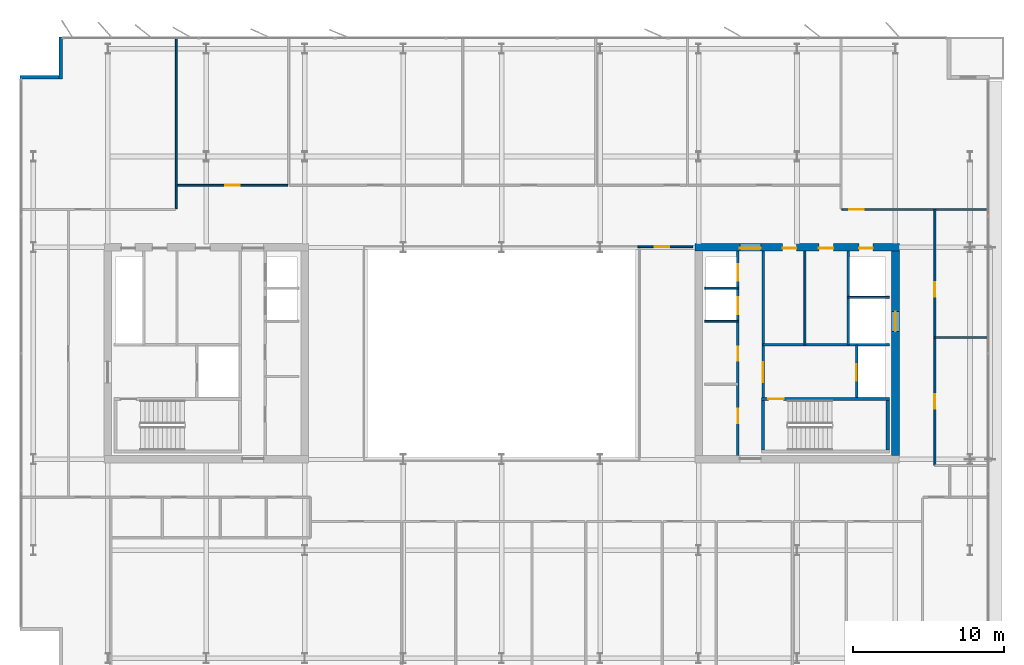
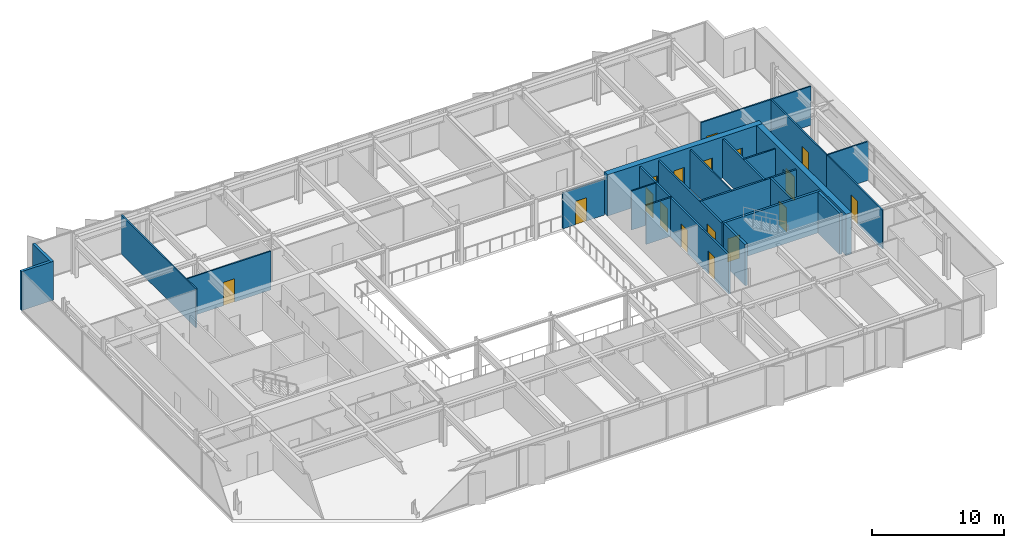
# One storey, part 14 of 19: 23 walls, 17 doors, 17 openings.
"""IFC4 building model written with IfcOpenShell, lengths in metres."""

from ifc_helpers import new_model, si_unit, direction, frame, frame_2d, origin, place, context, subcontext, project, spatial, rectangle, extrude, material, layer, layer_set, type_object, element, fill, save


model = new_model("IFC4")

# Units and contexts
model_context = context("Model", 3, precision=1e-05, world=origin(), true_north=direction((0.0, 1.0)))
body_context = subcontext(model_context, "Body", "Model", "MODEL_VIEW")
ifc_project = project(units=[si_unit("LENGTHUNIT", "METRE"), si_unit("AREAUNIT", "SQUARE_METRE"), si_unit("VOLUMEUNIT", "CUBIC_METRE"), si_unit("PLANEANGLEUNIT", "RADIAN"), si_unit("MASSUNIT", "GRAM", prefix="KILO")], contexts=[model_context])

# Site, building, storey
site_placement = place(None, origin())
site = spatial("IfcSite", under=ifc_project, at=site_placement, CompositionType="ELEMENT")
building_placement = place(site_placement, origin())
building = spatial("IfcBuilding", under=site, at=building_placement, Name="Putna Gate Headquarters", CompositionType="ELEMENT")
storey_placement = place(building_placement, frame((0.0, 0.0, 267.0)))
storey = spatial("IfcBuildingStorey", under=building, at=storey_placement, Name="L67", CompositionType="ELEMENT", Elevation=267.0)

# Wall, openings, doors
ifc_material_1 = material(Name="Concrete C50/60", Category="concrete")
ifc_layer_1 = layer(ifc_material_1, 0.5)
ifc_layer_set_1 = layer_set([ifc_layer_1], Name="Concrete C50/60")
wall_type_1 = type_object("IfcWallType", Name="WALL-CORE-500", PredefinedType="SHEAR", material=ifc_layer_set_1)
wall_1_placement = place(storey_placement, frame((51.75, 33.0, 0.0), z_axis=(0.0, 0.0, 1.0), x_axis=(1.0, 0.0, 0.0)))
wall_1 = element("IfcWall", 1, at=wall_1_placement, inside=storey, type_object=wall_type_1, Name="L67 EC Split Core Shear Wall N", PredefinedType="SHEAR", context=body_context, shape_type="SweptSolid", body=[
    extrude(rectangle(XDim=13.5, YDim=0.5, at=frame_2d((6.75, 0.0))), origin(), (0.0, 0.0, 1.0), 3.800048828125),
])
opening_1_placement = place(wall_1_placement, frame((2.969970703125, 0.0, 0.0)))
opening_1 = element("IfcOpeningElement", 2, at=opening_1_placement, cuts=wall_1, Name="Opening FDD-140", PredefinedType="OPENING", context=body_context, shape_type="SweptSolid", body=[
    extrude(rectangle(XDim=1.39990234375, YDim=2.199951171875, at=frame_2d((0.699951171875, 1.10009765625))), frame((0.0, 0.260009765625, 0.0), z_axis=(0.0, -1.0, 0.0), x_axis=(1.0, 0.0, 0.0)), (0.0, 0.0, 1.0), 0.52001953125),
])
opening_2_placement = place(wall_1_placement, frame((10.85009765625, 0.0, 0.0)))
opening_2 = element("IfcOpeningElement", 3, at=opening_2_placement, cuts=wall_1, Name="Opening RD-90", PredefinedType="OPENING", context=body_context, shape_type="SweptSolid", body=[
    extrude(rectangle(XDim=0.89990234375, YDim=2.14990234375, at=frame_2d((0.449951171875, 1.074951171875))), frame((0.0, 0.260009765625, 0.0), z_axis=(0.0, -1.0, 0.0), x_axis=(1.0, 0.0, 0.0)), (0.0, 0.0, 1.0), 0.52001953125),
])
opening_3_placement = place(wall_1_placement, frame((5.800048828125, 0.0, 0.0)))
opening_3 = element("IfcOpeningElement", 4, at=opening_3_placement, cuts=wall_1, Name="Opening IDS-90", PredefinedType="OPENING", context=body_context, shape_type="SweptSolid", body=[
    extrude(rectangle(XDim=0.89990234375, YDim=2.14990234375, at=frame_2d((0.449951171875, 1.074951171875))), frame((0.0, 0.260009765625, 0.0), z_axis=(0.0, -1.0, 0.0), x_axis=(1.0, 0.0, 0.0)), (0.0, 0.0, 1.0), 0.52001953125),
])
opening_4_placement = place(wall_1_placement, frame((8.199951171875, 0.0, 0.0)))
opening_4 = element("IfcOpeningElement", 5, at=opening_4_placement, cuts=wall_1, Name="Opening IDS-95", PredefinedType="OPENING", context=body_context, shape_type="SweptSolid", body=[
    extrude(rectangle(XDim=0.949951171875, YDim=2.14990234375, at=frame_2d((0.47509765625, 1.074951171875))), frame((0.0, 0.260009765625, 0.0), z_axis=(0.0, -1.0, 0.0), x_axis=(1.0, 0.0, 0.0)), (0.0, 0.0, 1.0), 0.52001953125),
])
ifc_material_2 = material(Name="Double steel fire door", Category="steel")
door_type_1 = type_object("IfcDoorType", Name="DOOR-FIRE-DBL-1400", OperationType="DOUBLE_DOOR_SINGLE_SWING", PredefinedType="DOOR", material=ifc_material_2)
door_1_placement = place(opening_1_placement, origin())
door_1 = element("IfcDoor", 6, at=door_1_placement, inside=storey, type_object=door_type_1, Name="L67 East Lift Lobby North Door", OperationType="DOUBLE_DOOR_SINGLE_SWING", OverallHeight=2.199951171875, OverallWidth=1.39990234375, PredefinedType="DOOR", context=body_context, shape_type="SweptSolid", body=[
    extrude(rectangle(XDim=1.39990234375, YDim=2.199951171875, at=frame_2d((0.699951171875, 1.10009765625))), frame((0.0, -0.02490234375, 0.0), z_axis=(0.0, -1.0, 0.0), x_axis=(1.0, 0.0, 0.0)), (0.0, 0.0, 1.0), 0.050048828125),
])
fill(opening_1, door_1)
ifc_material_3 = material(Name="Fire-rated utility door")
door_type_2 = type_object("IfcDoorType", Name="DOOR-INT-900", OperationType="NOTDEFINED", PredefinedType="DOOR", material=ifc_material_3)
door_2_placement = place(opening_3_placement, origin())
door_2 = element("IfcDoor", 7, at=door_2_placement, inside=storey, type_object=door_type_2, Name="L67 Telecoms Plant Door", OperationType="SINGLE_SWING_LEFT", OverallHeight=2.14990234375, OverallWidth=0.89990234375, PredefinedType="DOOR", context=body_context, shape_type="SweptSolid", body=[
    extrude(rectangle(XDim=0.89990234375, YDim=2.14990234375, at=frame_2d((0.449951171875, 1.074951171875))), frame((0.0, -0.02490234375, 0.0), z_axis=(0.0, -1.0, 0.0), x_axis=(1.0, 0.0, 0.0)), (0.0, 0.0, 1.0), 0.050048828125),
])
fill(opening_3, door_2)
ifc_material_4 = material(Name="Fire-rated service timber door", Category="wood")
door_type_3 = type_object("IfcDoorType", Name="DOOR-INT-950", OperationType="NOTDEFINED", PredefinedType="DOOR", material=ifc_material_4)
door_3_placement = place(opening_4_placement, origin())
door_3 = element("IfcDoor", 8, at=door_3_placement, inside=storey, type_object=door_type_3, Name="L67 Supplies Store Door", OperationType="SINGLE_SWING_RIGHT", OverallHeight=2.14990234375, OverallWidth=0.949951171875, PredefinedType="DOOR", context=body_context, shape_type="SweptSolid", body=[
    extrude(rectangle(XDim=0.949951171875, YDim=2.14990234375, at=frame_2d((0.47509765625, 1.074951171875))), frame((0.0, -0.02490234375, 0.0), z_axis=(0.0, -1.0, 0.0), x_axis=(1.0, 0.0, 0.0)), (0.0, 0.0, 1.0), 0.050048828125),
])
fill(opening_4, door_3)
ifc_material_5 = material(Name="Steel riser access fire door", Category="steel")
door_type_4 = type_object("IfcDoorType", Name="DOOR-RISER-900", OperationType="NOTDEFINED", PredefinedType="DOOR", material=ifc_material_5)
door_4_placement = place(opening_2_placement, origin())
door_4 = element("IfcDoor", 9, at=door_4_placement, inside=storey, type_object=door_type_4, Name="L67 East Riser Access Door", OperationType="SINGLE_SWING_LEFT", OverallHeight=2.14990234375, OverallWidth=0.89990234375, PredefinedType="DOOR", context=body_context, shape_type="SweptSolid", body=[
    extrude(rectangle(XDim=0.89990234375, YDim=2.14990234375, at=frame_2d((0.449951171875, 1.074951171875))), frame((0.0, -0.02490234375, 0.0), z_axis=(0.0, -1.0, 0.0), x_axis=(1.0, 0.0, 0.0)), (0.0, 0.0, 1.0), 0.050048828125),
])
fill(opening_2, door_4)

# Wall, opening, door
wall_2_placement = place(storey_placement, frame((65.0, 19.25, 0.0), z_axis=(0.0, 0.0, 1.0), x_axis=(0.0, 1.0, 0.0)))
wall_2 = element("IfcWall", 10, at=wall_2_placement, inside=storey, type_object=wall_type_1, Name="L67 EC Split Core Shear Wall E", PredefinedType="SHEAR", context=body_context, shape_type="SweptSolid", body=[
    extrude(rectangle(XDim=13.5, YDim=0.5, at=frame_2d((6.75, 0.0))), origin(), (0.0, 0.0, 1.0), 3.800048828125),
])
opening_5_placement = place(wall_2_placement, frame((8.199951171875, 0.0, 0.0)))
opening_5 = element("IfcOpeningElement", 11, at=opening_5_placement, cuts=wall_2, Name="Opening LD-2", PredefinedType="OPENING", context=body_context, shape_type="SweptSolid", body=[
    extrude(rectangle(XDim=1.300048828125, YDim=2.199951171875, at=frame_2d((0.64990234375, 1.10009765625))), frame((0.0, 0.260009765625, 0.0), z_axis=(0.0, -1.0, 0.0), x_axis=(1.0, 0.0, 0.0)), (0.0, 0.0, 1.0), 0.52001953125),
])
ifc_material_6 = material(Name="Heavy-duty goods lift sliding landing door")
door_type_5 = type_object("IfcDoorType", Name="DOOR-LIFT-1300", OperationType="DOUBLE_DOOR_SLIDING", PredefinedType="DOOR", material=ifc_material_6)
door_5_placement = place(opening_5_placement, origin())
door_5 = element("IfcDoor", 12, at=door_5_placement, inside=storey, type_object=door_type_5, Name="L67 Goods Lift Landing Door LD-15", OperationType="DOUBLE_DOOR_SLIDING", OverallHeight=2.199951171875, OverallWidth=1.300048828125, PredefinedType="DOOR", context=body_context, shape_type="SweptSolid", body=[
    extrude(rectangle(XDim=1.300048828125, YDim=2.199951171875, at=frame_2d((0.64990234375, 1.10009765625))), frame((0.0, 0.02490234375, 0.0), z_axis=(0.0, -1.0, 0.0), x_axis=(1.0, 0.0, 0.0)), (0.0, 0.0, 1.0), 0.050048828125),
])
fill(opening_5, door_5)

# Walls
ifc_material_7 = material(Name="Precast concrete C40/50", Category="concrete")
ifc_layer_2 = layer(ifc_material_7, 0.239990234375)
ifc_layer_set_2 = layer_set([ifc_layer_2], Name="Precast concrete C40/50")
wall_type_2 = type_object("IfcWallType", Name="WALL-EXT-TERR-240", PredefinedType="STANDARD", material=ifc_layer_set_2)
wall_3_placement = place(storey_placement, frame((9.8798828125, 44.10009765625, 0.0), z_axis=(0.0, 0.0, 1.0), x_axis=(0.0, 1.0, 0.0)))
element("IfcWall", 13, at=wall_3_placement, inside=storey, type_object=wall_type_2, Name="L67 Corner Notch Return Wall NW-V", PredefinedType="STANDARD", context=body_context, shape_type="SweptSolid", body=[
    extrude(rectangle(XDim=2.7998046875, YDim=0.239990234375, at=frame_2d((1.39990234375, 0.0))), origin(), (0.0, 0.0, 1.0), 3.587890625),
])
wall_4_placement = place(storey_placement, frame((7.199951171875, 44.219970703125, 0.0), z_axis=(0.0, 0.0, 1.0), x_axis=(1.0, 0.0, 0.0)))
element("IfcWall", 14, at=wall_4_placement, inside=storey, type_object=wall_type_2, Name="L67 Corner Notch Return Wall NW-H", PredefinedType="STANDARD", context=body_context, shape_type="SweptSolid", body=[
    extrude(rectangle(XDim=2.800048828125, YDim=0.239990234375, at=frame_2d((1.39990234375, 0.0))), origin(), (0.0, 0.0, 1.0), 3.587890625),
])

# Wall, opening, door
ifc_material_8 = material(Name="Acoustic gypsum board on metal stud")
ifc_layer_3 = layer(ifc_material_8, 0.1201171875)
ifc_layer_set_3 = layer_set([ifc_layer_3], Name="Acoustic gypsum board on metal stud")
wall_type_3 = type_object("IfcWallType", Name="WALL-PART-120", PredefinedType="PARTITIONING", material=ifc_layer_set_3)
wall_5_placement = place(storey_placement, frame((48.0, 33.0400390625, 0.0), z_axis=(0.0, 0.0, 1.0), x_axis=(1.0, 0.0, 0.0)))
wall_5 = element("IfcWall", 15, at=wall_5_placement, inside=storey, type_object=wall_type_3, Name="L67 Interior Wall PART-L67-ATR-E-N", PredefinedType="PARTITIONING", context=body_context, shape_type="SweptSolid", body=[
    extrude(rectangle(XDim=3.60009765625, YDim=0.1201171875, at=frame_2d((1.800048828125, 0.0))), origin(), (0.0, 0.0, 1.0), 3.327880859375),
])
opening_6_placement = place(wall_5_placement, frame((1.10009765625, 0.0, 0.0)))
opening_6 = element("IfcOpeningElement", 16, at=opening_6_placement, cuts=wall_5, Name="Opening ID-95", PredefinedType="OPENING", context=body_context, shape_type="SweptSolid", body=[
    extrude(rectangle(XDim=0.949951171875, YDim=2.14990234375, at=frame_2d((0.47509765625, 1.074951171875))), frame((0.0, 0.070068359375, 0.0), z_axis=(0.0, -1.0, 0.0), x_axis=(1.0, 0.0, 0.0)), (0.0, 0.0, 1.0), 0.14013671875),
])
ifc_material_9 = material(Name="Veneered acoustic timber door", Category="wood")
door_type_6 = type_object("IfcDoorType", Name="DOOR-OFF-950", OperationType="NOTDEFINED", PredefinedType="DOOR", material=ifc_material_9)
door_6_placement = place(opening_6_placement, origin())
door_6 = element("IfcDoor", 17, at=door_6_placement, inside=storey, type_object=door_type_6, Name="L67 East Sky Atrium Lounge Door", OperationType="SINGLE_SWING_LEFT", OverallHeight=2.14990234375, OverallWidth=0.949951171875, PredefinedType="DOOR", context=body_context, shape_type="SweptSolid", body=[
    extrude(rectangle(XDim=0.949951171875, YDim=2.14990234375, at=frame_2d((0.47509765625, 1.074951171875))), frame((0.0, 0.02490234375, 0.0), z_axis=(0.0, -1.0, 0.0), x_axis=(1.0, 0.0, 0.0)), (0.0, 0.0, 1.0), 0.050048828125),
])
fill(opening_6, door_6)

# Walls
wall_6_placement = place(storey_placement, frame((17.513916015625, 35.56005859375, 0.0), z_axis=(0.0, 0.0, 1.0), x_axis=(0.0, 1.0, 0.0)))
element("IfcWall", 18, at=wall_6_placement, inside=storey, type_object=wall_type_3, Name="L67 Interior Wall PART-L67-NB-DIV-01", PredefinedType="PARTITIONING", context=body_context, shape_type="SweptSolid", body=[
    extrude(rectangle(XDim=11.31982421875, YDim=0.1201171875, at=frame_2d((5.659912109375, 0.0))), origin(), (0.0, 0.0, 1.0), 3.587890625),
])
wall_7_placement = place(storey_placement, frame((67.60009765625, 27.050048828125, 0.0), z_axis=(0.0, 0.0, 1.0), x_axis=(1.0, 0.0, 0.0)))
element("IfcWall", 19, at=wall_7_placement, inside=storey, type_object=wall_type_3, Name="L67 Interior Wall PART-L67-EW-DIV-1", PredefinedType="PARTITIONING", context=body_context, shape_type="SweptSolid", body=[
    extrude(rectangle(XDim=3.594970703125, YDim=0.1201171875, at=frame_2d((1.79736328125, 0.0))), origin(), (0.0, 0.0, 1.0), 3.587890625),
])
ifc_material_10 = material(Name="Fire-rated shaftwall gypsum board on metal stud")
ifc_layer_4 = layer(ifc_material_10, 0.1201171875)
ifc_layer_set_4 = layer_set([ifc_layer_4], Name="Fire-rated shaftwall gypsum board on metal stud")
wall_type_4 = type_object("IfcWallType", Name="WALL-PART-120-EI120", PredefinedType="PARTITIONING", material=ifc_layer_set_4)
wall_8_placement = place(storey_placement, frame((52.39990234375, 30.31005859375, 0.0), z_axis=(0.0, 0.0, 1.0), x_axis=(1.0, 0.0, 0.0)))
element("IfcWall", 20, at=wall_8_placement, inside=storey, type_object=wall_type_4, Name="L67 Interior Wall CWINT-L67-EC-LF11-DIV", PredefinedType="PARTITIONING", context=body_context, shape_type="SweptSolid", body=[
    extrude(rectangle(XDim=2.2001953125, YDim=0.1201171875, at=frame_2d((1.10009765625, 0.0))), origin(), (0.0, 0.0, 1.0), 3.587890625),
])
wall_9_placement = place(storey_placement, frame((61.8701171875, 29.699951171875, 0.0), z_axis=(0.0, 0.0, 1.0), x_axis=(1.0, 0.0, 0.0)))
element("IfcWall", 21, at=wall_9_placement, inside=storey, type_object=wall_type_4, Name="L67 Interior Wall CWINT-L67-EC-LF15-N", PredefinedType="PARTITIONING", context=body_context, shape_type="SweptSolid", body=[
    extrude(rectangle(XDim=2.72998046875, YDim=0.1201171875, at=frame_2d((1.364990234375, 0.0))), origin(), (0.0, 0.0, 1.0), 3.587890625),
])
ifc_material_11 = material(Name="Fire-rated gypsum board on metal stud")
ifc_layer_5 = layer(ifc_material_11, 0.1201171875)
ifc_layer_set_5 = layer_set([ifc_layer_5], Name="Fire-rated gypsum board on metal stud")
wall_type_5 = type_object("IfcWallType", Name="WALL-PART-120-RATED", PredefinedType="PARTITIONING", material=ifc_layer_set_5)
wall_10_placement = place(storey_placement, frame((52.39990234375, 28.1201171875, 0.0), z_axis=(0.0, 0.0, 1.0), x_axis=(1.0, 0.0, 0.0)))
element("IfcWall", 22, at=wall_10_placement, inside=storey, type_object=wall_type_5, Name="L67 Interior Wall CWINT-L67-EC-LF08-DIV", PredefinedType="PARTITIONING", context=body_context, shape_type="SweptSolid", body=[
    extrude(rectangle(XDim=2.2001953125, YDim=0.1201171875, at=frame_2d((1.10009765625, 0.0))), origin(), (0.0, 0.0, 1.0), 3.587890625),
])
wall_11_placement = place(storey_placement, frame((59.02001953125, 26.56005859375, 0.0), z_axis=(0.0, 0.0, 1.0), x_axis=(0.0, 1.0, 0.0)))
element("IfcWall", 23, at=wall_11_placement, inside=storey, type_object=wall_type_5, Name="L67 Interior Wall CWINT-L67-EC-K1-DIV", PredefinedType="PARTITIONING", context=body_context, shape_type="SweptSolid", body=[
    extrude(rectangle(XDim=6.18994140625, YDim=0.1201171875, at=frame_2d((3.094970703125, 0.0))), origin(), (0.0, 0.0, 1.0), 3.587890625),
])

# Wall, opening, door
wall_12_placement = place(storey_placement, frame((17.573974609375, 37.10009765625, 0.0), z_axis=(0.0, 0.0, 1.0), x_axis=(1.0, 0.0, 0.0)))
wall_12 = element("IfcWall", 24, at=wall_12_placement, inside=storey, type_object=wall_type_5, Name="L67 Interior Wall PART-L67-NB-CW-02", PredefinedType="PARTITIONING", context=body_context, shape_type="SweptSolid", body=[
    extrude(rectangle(XDim=7.302001953125, YDim=0.1201171875, at=frame_2d((3.65087890625, 0.0))), origin(), (0.0, 0.0, 1.0), 3.587890625),
])
opening_7_placement = place(wall_12_placement, frame((3.176025390625, 0.0, 0.0)))
opening_7 = element("IfcOpeningElement", 25, at=opening_7_placement, cuts=wall_12, Name="Opening FD-95", PredefinedType="OPENING", context=body_context, shape_type="SweptSolid", body=[
    extrude(rectangle(XDim=0.949951171875, YDim=2.14990234375, at=frame_2d((0.47509765625, 1.074951171875))), frame((0.0, 0.070068359375, 0.0), z_axis=(0.0, -1.0, 0.0), x_axis=(1.0, 0.0, 0.0)), (0.0, 0.0, 1.0), 0.14013671875),
])
ifc_material_12 = material(Name="Acoustic timber fire door", Category="wood")
door_type_7 = type_object("IfcDoorType", Name="DOOR-FIRE-950", OperationType="NOTDEFINED", PredefinedType="DOOR", material=ifc_material_12)
door_7_placement = place(opening_7_placement, origin())
door_7 = element("IfcDoor", 26, at=door_7_placement, inside=storey, type_object=door_type_7, Name="L67 Quiet Wellness Focus Studio 3 Door", OperationType="SINGLE_SWING_LEFT", OverallHeight=2.14990234375, OverallWidth=0.949951171875, PredefinedType="DOOR", context=body_context, shape_type="SweptSolid", body=[
    extrude(rectangle(XDim=0.949951171875, YDim=2.14990234375, at=frame_2d((0.47509765625, 1.074951171875))), frame((0.0, 0.02490234375, 0.0), z_axis=(0.0, -1.0, 0.0), x_axis=(1.0, 0.0, 0.0)), (0.0, 0.0, 1.0), 0.050048828125),
])
fill(opening_7, door_7)

wall_13_placement = place(storey_placement, frame((61.464111328125, 35.5, 0.0), z_axis=(0.0, 0.0, 1.0), x_axis=(1.0, 0.0, 0.0)))
wall_13 = element("IfcWall", 27, at=wall_13_placement, inside=storey, type_object=wall_type_5, Name="L67 Interior Wall PART-L67-NB-CW-07", PredefinedType="PARTITIONING", context=body_context, shape_type="SweptSolid", body=[
    extrude(rectangle(XDim=9.57080078125, YDim=0.1201171875, at=frame_2d((4.785400390625, 0.0))), origin(), (0.0, 0.0, 1.0), 3.587890625),
])
opening_8_placement = place(wall_13_placement, frame((0.47998046875, 0.0, 0.0)))
opening_8 = element("IfcOpeningElement", 28, at=opening_8_placement, cuts=wall_13, Name="Opening FD-95", PredefinedType="OPENING", context=body_context, shape_type="SweptSolid", body=[
    extrude(rectangle(XDim=0.949951171875, YDim=2.14990234375, at=frame_2d((0.47509765625, 1.074951171875))), frame((0.0, 0.070068359375, 0.0), z_axis=(0.0, -1.0, 0.0), x_axis=(1.0, 0.0, 0.0)), (0.0, 0.0, 1.0), 0.14013671875),
])
door_8_placement = place(opening_8_placement, origin())
door_8 = element("IfcDoor", 29, at=door_8_placement, inside=storey, type_object=door_type_7, Name="L67 Collaborative Breakout Lounge 3 Door", OperationType="SINGLE_SWING_RIGHT", OverallHeight=2.14990234375, OverallWidth=0.949951171875, PredefinedType="DOOR", context=body_context, shape_type="SweptSolid", body=[
    extrude(rectangle(XDim=0.949951171875, YDim=2.14990234375, at=frame_2d((0.47509765625, 1.074951171875))), frame((0.0, 0.02490234375, 0.0), z_axis=(0.0, -1.0, 0.0), x_axis=(1.0, 0.0, 0.0)), (0.0, 0.0, 1.0), 0.050048828125),
])
fill(opening_8, door_8)

wall_14_placement = place(storey_placement, frame((67.60009765625, 18.60009765625, 0.0), z_axis=(0.0, 0.0, 1.0), x_axis=(0.0, 1.0, 0.0)))
wall_14 = element("IfcWall", 30, at=wall_14_placement, inside=storey, type_object=wall_type_5, Name="L67 Interior Wall PART-L67-EW-CW-1", PredefinedType="PARTITIONING", context=body_context, shape_type="SweptSolid", body=[
    extrude(rectangle(XDim=8.449951171875, YDim=0.1201171875, at=frame_2d((4.22509765625, 0.0))), origin(), (0.0, 0.0, 1.0), 3.587890625),
])
opening_9_placement = place(wall_14_placement, frame((3.75, 0.0, 0.0)))
opening_9 = element("IfcOpeningElement", 31, at=opening_9_placement, cuts=wall_14, Name="Opening FD-95", PredefinedType="OPENING", context=body_context, shape_type="SweptSolid", body=[
    extrude(rectangle(XDim=0.949951171875, YDim=2.14990234375, at=frame_2d((0.47509765625, 1.074951171875))), frame((0.0, 0.070068359375, 0.0), z_axis=(0.0, -1.0, 0.0), x_axis=(1.0, 0.0, 0.0)), (0.0, 0.0, 1.0), 0.14013671875),
])
door_9_placement = place(opening_9_placement, origin())
door_9 = element("IfcDoor", 32, at=door_9_placement, inside=storey, type_object=door_type_7, Name="L67 East Advisory Office 1 Door", OperationType="SINGLE_SWING_LEFT", OverallHeight=2.14990234375, OverallWidth=0.949951171875, PredefinedType="DOOR", context=body_context, shape_type="SweptSolid", body=[
    extrude(rectangle(XDim=0.949951171875, YDim=2.14990234375, at=frame_2d((0.47509765625, 1.074951171875))), frame((0.0, 0.02490234375, 0.0), z_axis=(0.0, -1.0, 0.0), x_axis=(1.0, 0.0, 0.0)), (0.0, 0.0, 1.0), 0.050048828125),
])
fill(opening_9, door_9)

wall_15_placement = place(storey_placement, frame((67.60009765625, 27.050048828125, 0.0), z_axis=(0.0, 0.0, 1.0), x_axis=(0.0, 1.0, 0.0)))
wall_15 = element("IfcWall", 33, at=wall_15_placement, inside=storey, type_object=wall_type_5, Name="L67 Interior Wall PART-L67-EW-CW-2", PredefinedType="PARTITIONING", context=body_context, shape_type="SweptSolid", body=[
    extrude(rectangle(XDim=8.449951171875, YDim=0.1201171875, at=frame_2d((4.22509765625, 0.0))), origin(), (0.0, 0.0, 1.0), 3.587890625),
])
opening_10_placement = place(wall_15_placement, frame((2.699951171875, 0.0, 0.0)))
opening_10 = element("IfcOpeningElement", 34, at=opening_10_placement, cuts=wall_15, Name="Opening FD-95", PredefinedType="OPENING", context=body_context, shape_type="SweptSolid", body=[
    extrude(rectangle(XDim=0.949951171875, YDim=2.14990234375, at=frame_2d((0.47509765625, 1.074951171875))), frame((0.0, 0.070068359375, 0.0), z_axis=(0.0, -1.0, 0.0), x_axis=(1.0, 0.0, 0.0)), (0.0, 0.0, 1.0), 0.14013671875),
])
door_10_placement = place(opening_10_placement, origin())
door_10 = element("IfcDoor", 35, at=door_10_placement, inside=storey, type_object=door_type_7, Name="L67 East Advisory Office 2 Door", OperationType="SINGLE_SWING_RIGHT", OverallHeight=2.14990234375, OverallWidth=0.949951171875, PredefinedType="DOOR", context=body_context, shape_type="SweptSolid", body=[
    extrude(rectangle(XDim=0.949951171875, YDim=2.14990234375, at=frame_2d((0.47509765625, 1.074951171875))), frame((0.0, 0.02490234375, 0.0), z_axis=(0.0, -1.0, 0.0), x_axis=(1.0, 0.0, 0.0)), (0.0, 0.0, 1.0), 0.050048828125),
])
fill(opening_10, door_10)

# Wall, openings, doors
ifc_material_13 = material(Name="Concrete C40/50", Category="concrete")
ifc_layer_6 = layer(ifc_material_13, 0.159912109375)
ifc_layer_set_6 = layer_set([ifc_layer_6], Name="Concrete C40/50")
wall_type_6 = type_object("IfcWallType", Name="WALL-SHAFT-160", PredefinedType="STANDARD", material=ifc_layer_set_6)
wall_16_placement = place(storey_placement, frame((54.60009765625, 19.25, 0.0), z_axis=(0.0, 0.0, 1.0), x_axis=(0.0, 1.0, 0.0)))
wall_16 = element("IfcWall", 36, at=wall_16_placement, inside=storey, type_object=wall_type_6, Name="L67 Interior Wall CWINT-L67-EC-PL-WALL", PredefinedType="STANDARD", context=body_context, shape_type="SweptSolid", body=[
    extrude(rectangle(XDim=13.5, YDim=0.159912109375, at=frame_2d((6.75, 0.0))), origin(), (0.0, 0.0, 1.0), 3.587890625),
])
opening_11_placement = place(wall_16_placement, frame((2.14990234375, 0.0, 0.0)))
opening_11 = element("IfcOpeningElement", 37, at=opening_11_placement, cuts=wall_16, Name="Opening IDS-95", PredefinedType="OPENING", context=body_context, shape_type="SweptSolid", body=[
    extrude(rectangle(XDim=0.949951171875, YDim=2.14990234375, at=frame_2d((0.47509765625, 1.074951171875))), frame((0.0, 0.08984375, 0.0), z_axis=(0.0, -1.0, 0.0), x_axis=(1.0, 0.0, 0.0)), (0.0, 0.0, 1.0), 0.179931640625),
])
opening_12_placement = place(wall_16_placement, frame((6.25, 0.0, 0.0)))
opening_12 = element("IfcOpeningElement", 38, at=opening_12_placement, cuts=wall_16, Name="Opening IDS-95", PredefinedType="OPENING", context=body_context, shape_type="SweptSolid", body=[
    extrude(rectangle(XDim=0.949951171875, YDim=2.14990234375, at=frame_2d((0.47509765625, 1.074951171875))), frame((0.0, 0.08984375, 0.0), z_axis=(0.0, -1.0, 0.0), x_axis=(1.0, 0.0, 0.0)), (0.0, 0.0, 1.0), 0.179931640625),
])
opening_13_placement = place(wall_16_placement, frame((9.35009765625, 0.0, 0.0)))
opening_13 = element("IfcOpeningElement", 39, at=opening_13_placement, cuts=wall_16, Name="Opening LD-1", PredefinedType="OPENING", context=body_context, shape_type="SweptSolid", body=[
    extrude(rectangle(XDim=1.10009765625, YDim=2.199951171875, at=frame_2d((0.550048828125, 1.10009765625))), frame((0.0, 0.08984375, 0.0), z_axis=(0.0, -1.0, 0.0), x_axis=(1.0, 0.0, 0.0)), (0.0, 0.0, 1.0), 0.179931640625),
])
opening_14_placement = place(wall_16_placement, frame((11.550048828125, 0.0, 0.0)))
opening_14 = element("IfcOpeningElement", 40, at=opening_14_placement, cuts=wall_16, Name="Opening LD-1", PredefinedType="OPENING", context=body_context, shape_type="SweptSolid", body=[
    extrude(rectangle(XDim=1.10009765625, YDim=2.199951171875, at=frame_2d((0.550048828125, 1.10009765625))), frame((0.0, 0.08984375, 0.0), z_axis=(0.0, -1.0, 0.0), x_axis=(1.0, 0.0, 0.0)), (0.0, 0.0, 1.0), 0.179931640625),
])
door_11_placement = place(opening_11_placement, origin())
door_11 = element("IfcDoor", 41, at=door_11_placement, inside=storey, type_object=door_type_3, Name="L67 Executive Archive Door", OperationType="SINGLE_SWING_RIGHT", OverallHeight=2.14990234375, OverallWidth=0.949951171875, PredefinedType="DOOR", context=body_context, shape_type="SweptSolid", body=[
    extrude(rectangle(XDim=0.949951171875, YDim=2.14990234375, at=frame_2d((0.47509765625, 1.074951171875))), frame((0.0, 0.02490234375, 0.0), z_axis=(0.0, -1.0, 0.0), x_axis=(1.0, 0.0, 0.0)), (0.0, 0.0, 1.0), 0.050048828125),
])
fill(opening_11, door_11)
door_12_placement = place(opening_12_placement, origin())
door_12 = element("IfcDoor", 42, at=door_12_placement, inside=storey, type_object=door_type_3, Name="L67 Comms Distribution Door", OperationType="SINGLE_SWING_LEFT", OverallHeight=2.14990234375, OverallWidth=0.949951171875, PredefinedType="DOOR", context=body_context, shape_type="SweptSolid", body=[
    extrude(rectangle(XDim=0.949951171875, YDim=2.14990234375, at=frame_2d((0.47509765625, 1.074951171875))), frame((0.0, 0.02490234375, 0.0), z_axis=(0.0, -1.0, 0.0), x_axis=(1.0, 0.0, 0.0)), (0.0, 0.0, 1.0), 0.050048828125),
])
fill(opening_12, door_12)
ifc_material_14 = material(Name="Brushed bronze stainless lift landing door")
door_type_8 = type_object("IfcDoorType", Name="DOOR-LIFT-1100", OperationType="DOUBLE_DOOR_SLIDING", PredefinedType="DOOR", material=ifc_material_14)
door_13_placement = place(opening_13_placement, origin())
door_13 = element("IfcDoor", 43, at=door_13_placement, inside=storey, type_object=door_type_8, Name="L67 Lift Landing Door LD-11", OperationType="DOUBLE_DOOR_SLIDING", OverallHeight=2.199951171875, OverallWidth=1.10009765625, PredefinedType="DOOR", context=body_context, shape_type="SweptSolid", body=[
    extrude(rectangle(XDim=1.10009765625, YDim=2.199951171875, at=frame_2d((0.550048828125, 1.10009765625))), frame((0.0, 0.02490234375, 0.0), z_axis=(0.0, -1.0, 0.0), x_axis=(1.0, 0.0, 0.0)), (0.0, 0.0, 1.0), 0.050048828125),
])
fill(opening_13, door_13)
door_14_placement = place(opening_14_placement, origin())
door_14 = element("IfcDoor", 44, at=door_14_placement, inside=storey, type_object=door_type_8, Name="L67 Lift Landing Door LD-12", OperationType="DOUBLE_DOOR_SLIDING", OverallHeight=2.199951171875, OverallWidth=1.10009765625, PredefinedType="DOOR", context=body_context, shape_type="SweptSolid", body=[
    extrude(rectangle(XDim=1.10009765625, YDim=2.199951171875, at=frame_2d((0.550048828125, 1.10009765625))), frame((0.0, 0.02490234375, 0.0), z_axis=(0.0, -1.0, 0.0), x_axis=(1.0, 0.0, 0.0)), (0.0, 0.0, 1.0), 0.050048828125),
])
fill(opening_14, door_14)

# Wall, opening, door
wall_17_placement = place(storey_placement, frame((56.260009765625, 23.090087890625, 0.0), z_axis=(0.0, 0.0, 1.0), x_axis=(0.0, 1.0, 0.0)))
wall_17 = element("IfcWall", 45, at=wall_17_placement, inside=storey, type_object=wall_type_6, Name="L67 Interior Wall CWINT-L67-EC-LOB-E", PredefinedType="STANDARD", context=body_context, shape_type="SweptSolid", body=[
    extrude(rectangle(XDim=9.659912109375, YDim=0.159912109375, at=frame_2d((4.830078125, 0.0))), origin(), (0.0, 0.0, 1.0), 3.587890625),
])
opening_15_placement = place(wall_17_placement, frame((1.010009765625, 0.0, 0.0)))
opening_15 = element("IfcOpeningElement", 46, at=opening_15_placement, cuts=wall_17, Name="Opening FDD-130", PredefinedType="OPENING", context=body_context, shape_type="SweptSolid", body=[
    extrude(rectangle(XDim=1.300048828125, YDim=2.199951171875, at=frame_2d((0.64990234375, 1.10009765625))), frame((0.0, 0.08984375, 0.0), z_axis=(0.0, -1.0, 0.0), x_axis=(1.0, 0.0, 0.0)), (0.0, 0.0, 1.0), 0.179931640625),
])
ifc_material_15 = material(Name="Double steel lobby fire door", Category="steel")
door_type_9 = type_object("IfcDoorType", Name="DOOR-FIRE-DBL-1300", OperationType="DOUBLE_DOOR_SINGLE_SWING", PredefinedType="DOOR", material=ifc_material_15)
door_15_placement = place(opening_15_placement, origin())
door_15 = element("IfcDoor", 47, at=door_15_placement, inside=storey, type_object=door_type_9, Name="L67 East Firefighting Lobby Door", OperationType="DOUBLE_DOOR_SINGLE_SWING", OverallHeight=2.199951171875, OverallWidth=1.300048828125, PredefinedType="DOOR", context=body_context, shape_type="SweptSolid", body=[
    extrude(rectangle(XDim=1.300048828125, YDim=2.199951171875, at=frame_2d((0.64990234375, 1.10009765625))), frame((0.0, 0.02490234375, 0.0), z_axis=(0.0, -1.0, 0.0), x_axis=(1.0, 0.0, 0.0)), (0.0, 0.0, 1.0), 0.050048828125),
])
fill(opening_15, door_15)

wall_18_placement = place(storey_placement, frame((62.429931640625, 23.090087890625, 0.0), z_axis=(0.0, 0.0, 1.0), x_axis=(0.0, 1.0, 0.0)))
wall_18 = element("IfcWall", 48, at=wall_18_placement, inside=storey, type_object=wall_type_6, Name="L67 Interior Wall CWINT-L67-EC-LF14-W", PredefinedType="STANDARD", context=body_context, shape_type="SweptSolid", body=[
    extrude(rectangle(XDim=3.469970703125, YDim=0.159912109375, at=frame_2d((1.73486328125, 0.0))), origin(), (0.0, 0.0, 1.0), 3.587890625),
])
opening_16_placement = place(wall_18_placement, frame((1.10009765625, 0.0, 0.0)))
opening_16 = element("IfcOpeningElement", 49, at=opening_16_placement, cuts=wall_18, Name="Opening LD-1", PredefinedType="OPENING", context=body_context, shape_type="SweptSolid", body=[
    extrude(rectangle(XDim=1.10009765625, YDim=2.199951171875, at=frame_2d((0.550048828125, 1.10009765625))), frame((0.0, 0.08984375, 0.0), z_axis=(0.0, -1.0, 0.0), x_axis=(1.0, 0.0, 0.0)), (0.0, 0.0, 1.0), 0.179931640625),
])
door_16_placement = place(opening_16_placement, origin())
door_16 = element("IfcDoor", 50, at=door_16_placement, inside=storey, type_object=door_type_8, Name="L67 Lift Landing Door LD-14", OperationType="DOUBLE_DOOR_SLIDING", OverallHeight=2.199951171875, OverallWidth=1.10009765625, PredefinedType="DOOR", context=body_context, shape_type="SweptSolid", body=[
    extrude(rectangle(XDim=1.10009765625, YDim=2.199951171875, at=frame_2d((0.550048828125, 1.10009765625))), frame((0.0, 0.02490234375, 0.0), z_axis=(0.0, -1.0, 0.0), x_axis=(1.0, 0.0, 0.0)), (0.0, 0.0, 1.0), 0.050048828125),
])
fill(opening_16, door_16)

# Walls
wall_19_placement = place(storey_placement, frame((56.260009765625, 26.56005859375, 0.0), z_axis=(0.0, 0.0, 1.0), x_axis=(1.0, 0.0, 0.0)))
element("IfcWall", 51, at=wall_19_placement, inside=storey, type_object=wall_type_6, Name="L67 Interior Wall CWINT-L67-EC-FFL-N", PredefinedType="STANDARD", context=body_context, shape_type="SweptSolid", body=[
    extrude(rectangle(XDim=8.340087890625, YDim=0.159912109375, at=frame_2d((4.169921875, 0.0))), origin(), (0.0, 0.0, 1.0), 3.587890625),
])
wall_20_placement = place(storey_placement, frame((61.8701171875, 26.56005859375, 0.0), z_axis=(0.0, 0.0, 1.0), x_axis=(0.0, 1.0, 0.0)))
element("IfcWall", 52, at=wall_20_placement, inside=storey, type_object=wall_type_6, Name="L67 Interior Wall CWINT-L67-EC-LF15-W", PredefinedType="STANDARD", context=body_context, shape_type="SweptSolid", body=[
    extrude(rectangle(XDim=6.18994140625, YDim=0.159912109375, at=frame_2d((3.094970703125, 0.0))), origin(), (0.0, 0.0, 1.0), 3.587890625),
])

# Wall, opening, door
ifc_layer_7 = layer(ifc_material_13, 0.199951171875)
ifc_layer_set_7 = layer_set([ifc_layer_7], Name="Concrete C40/50")
wall_type_7 = type_object("IfcWallType", Name="WALL-SHAFT-RC200", PredefinedType="SHEAR", material=ifc_layer_set_7)
wall_21_placement = place(storey_placement, frame((56.159912109375, 22.989990234375, 0.0), z_axis=(0.0, 0.0, 1.0), x_axis=(1.0, 0.0, 0.0)))
wall_21 = element("IfcWall", 53, at=wall_21_placement, inside=storey, type_object=wall_type_7, Name="L67 Stair ST2 Structural Shaft Wall N", PredefinedType="SHEAR", context=body_context, shape_type="SweptSolid", body=[
    extrude(rectangle(XDim=8.43017578125, YDim=0.199951171875, at=frame_2d((4.215087890625, 0.0))), origin(), (0.0, 0.0, 1.0), 3.800048828125),
])
opening_17_placement = place(wall_21_placement, frame((0.449951171875, 0.0, 0.0)))
opening_17 = element("IfcOpeningElement", 54, at=opening_17_placement, cuts=wall_21, Name="Opening FD-100", PredefinedType="OPENING", context=body_context, shape_type="SweptSolid", body=[
    extrude(rectangle(XDim=1.0, YDim=2.14990234375, at=frame_2d((0.5, 1.074951171875))), frame((0.0, 0.10986328125, 0.0), z_axis=(0.0, -1.0, 0.0), x_axis=(1.0, 0.0, 0.0)), (0.0, 0.0, 1.0), 0.219970703125),
])
ifc_material_16 = material(Name="Powder-coated steel fire door", Category="steel")
door_type_10 = type_object("IfcDoorType", Name="DOOR-FIRE-1000", OperationType="NOTDEFINED", PredefinedType="DOOR", material=ifc_material_16)
door_17_placement = place(opening_17_placement, origin())
door_17 = element("IfcDoor", 55, at=door_17_placement, inside=storey, type_object=door_type_10, Name="L67 Stair ST2 Fire Door", OperationType="SINGLE_SWING_RIGHT", OverallHeight=2.14990234375, OverallWidth=1.0, PredefinedType="DOOR", context=body_context, shape_type="SweptSolid", body=[
    extrude(rectangle(XDim=1.0, YDim=2.14990234375, at=frame_2d((0.5, 1.074951171875))), frame((0.0, 0.02490234375, 0.0), z_axis=(0.0, -1.0, 0.0), x_axis=(1.0, 0.0, 0.0)), (0.0, 0.0, 1.0), 0.050048828125),
])
fill(opening_17, door_17)

# Walls
for number, where, z_axis, x_axis, name in (
    (56, (56.260009765625, 19.610107421875, 0.0), (0.0, 0.0, 1.0), (0.0, 1.0, 0.0), "L67 Stair ST2 Structural Shaft Wall W"),
    (57, (64.489990234375, 19.610107421875, 0.0), (0.0, 0.0, 1.0), (0.0, 1.0, 0.0), "L67 Stair ST2 Structural Shaft Wall E"),
):
    element("IfcWall", number, at=place(storey_placement, frame(where, z_axis=z_axis, x_axis=x_axis)), inside=storey, type_object=wall_type_7, Name=name, PredefinedType="SHEAR", context=body_context, shape_type="SweptSolid", body=[
        extrude(rectangle(XDim=3.27978515625, YDim=0.199951171875, at=frame_2d((1.639892578125, 0.0))), origin(), (0.0, 0.0, 1.0), 3.800048828125),
    ])

save(model, "model.ifc")
